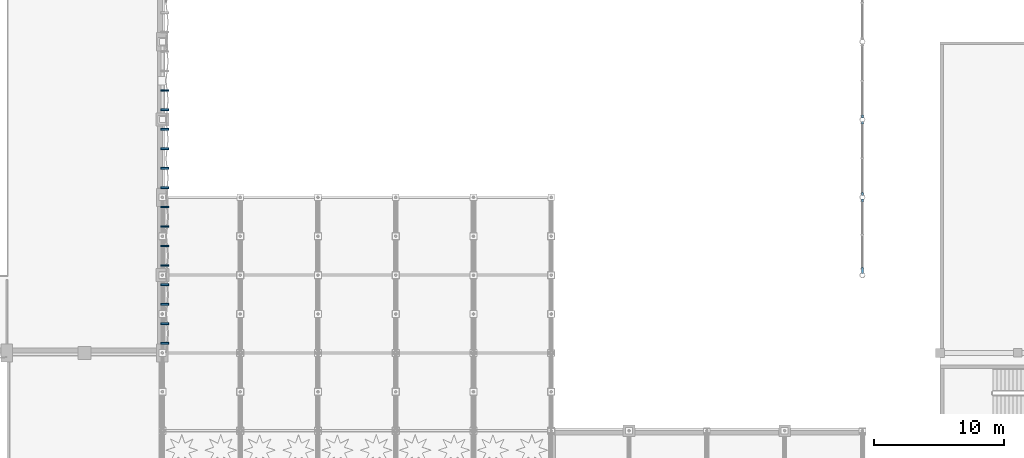
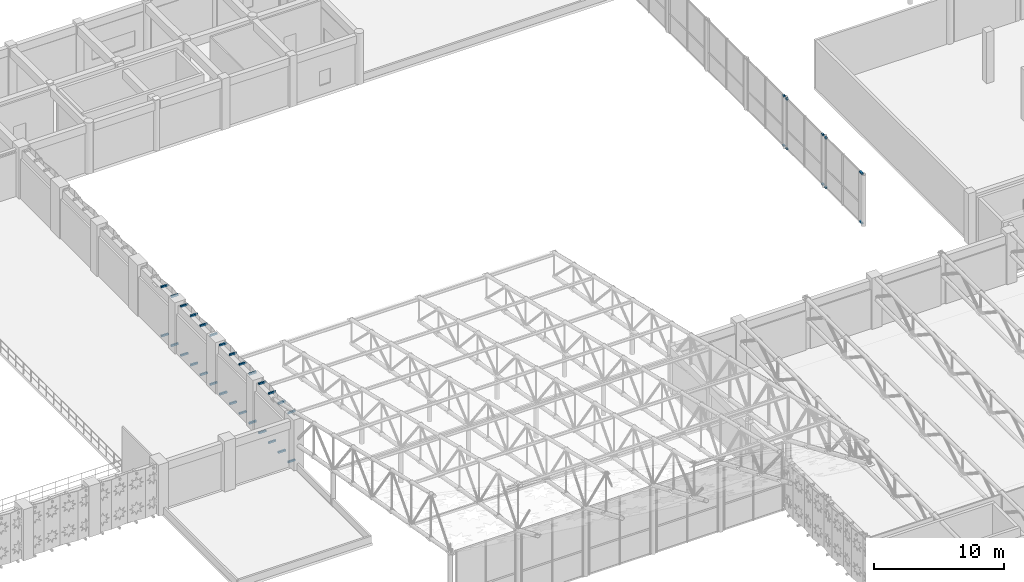
# One storey, part 110 of 123: 38 discrete accessories.
"""IFC4 building model written with IfcOpenShell, lengths in metres."""

from ifc_helpers import new_model, si_unit, direction, frame, origin, origin_2d, place, context, subcontext, project, spatial, rectangle, extrude, material, type_object, element, save


model = new_model("IFC4")

# Units and contexts
model_context = context("Model", 3, precision=1e-05, world=origin(), true_north=direction((0.0, 1.0)))
body_context = subcontext(model_context, "Body", "Model", "MODEL_VIEW")
ifc_project = project(units=[si_unit("LENGTHUNIT", "METRE"), si_unit("AREAUNIT", "SQUARE_METRE"), si_unit("VOLUMEUNIT", "CUBIC_METRE"), si_unit("PLANEANGLEUNIT", "RADIAN"), si_unit("MASSUNIT", "GRAM", prefix="KILO"), si_unit("THERMODYNAMICTEMPERATUREUNIT", "KELVIN"), si_unit("POWERUNIT", "WATT")], contexts=[model_context])

# Site, building, storey
site_placement = place(None, origin())
site = spatial("IfcSite", under=ifc_project, at=site_placement, CompositionType="ELEMENT")
building_placement = place(site_placement, origin())
building = spatial("IfcBuilding", under=site, at=building_placement, Name="Phaisarnlok Congress Hotel", CompositionType="ELEMENT")
storey_placement = place(building_placement, frame((0.0, 0.0, 15.0)))
storey = spatial("IfcBuildingStorey", under=building, at=storey_placement, Name="L03", CompositionType="ELEMENT", Elevation=15.0)

# Discrete accessories
ifc_material = material(Name="Steel S355", Category="steel")
discrete_accessory_type = type_object("IfcDiscreteAccessoryType", Name="ACC-BRK-STL", PredefinedType="BRACKET", material=ifc_material)
for number, where, z_axis, x_axis, name in (
    (1, (120.0, 48.360107421875, 0.0), (0.0, 0.0, 1.0), (1.0, 0.0, 0.0), "Curtain wall steel jamb spider bracket BK-01"),
    (2, (120.0, 48.360107421875, 4.66015625), (0.0, 0.0, 1.0), (1.0, 0.0, 0.0), "Curtain wall steel jamb spider bracket BK-01"),
):
    element("IfcDiscreteAccessory", number, at=place(storey_placement, frame(where, z_axis=z_axis, x_axis=x_axis)), inside=storey, type_object=discrete_accessory_type, Name=name, PredefinedType="BRACKET", context=body_context, shape_type="SweptSolid", body=[
        extrude(rectangle(XDim=0.159912109375, YDim=0.43994140625, at=origin_2d()), origin(), (0.0, 0.0, 1.0), 0.139892578125),
    ])
for number, where, z_axis, x_axis, name in (
    (3, (120.0, 53.75, 0.0), (0.0, 0.0, 1.0), (1.0, 0.0, 0.0), "Curtain wall steel jamb spider bracket BK-01"),
    (4, (120.0, 53.75, 4.66015625), (0.0, 0.0, 1.0), (1.0, 0.0, 0.0), "Curtain wall steel jamb spider bracket BK-01"),
    (5, (120.0, 54.25, 0.0), (0.0, 0.0, 1.0), (1.0, 0.0, 0.0), "Curtain wall steel jamb spider bracket BK-01"),
    (6, (120.0, 54.25, 4.66015625), (0.0, 0.0, 1.0), (1.0, 0.0, 0.0), "Curtain wall steel jamb spider bracket BK-01"),
    (7, (120.0, 59.75, 0.0), (0.0, 0.0, 1.0), (1.0, 0.0, 0.0), "Curtain wall steel jamb spider bracket BK-01"),
    (8, (120.0, 59.75, 4.66015625), (0.0, 0.0, 1.0), (1.0, 0.0, 0.0), "Curtain wall steel jamb spider bracket BK-01"),
    (9, (120.0, 60.25, 0.0), (0.0, 0.0, 1.0), (1.0, 0.0, 0.0), "Curtain wall steel jamb spider bracket BK-01"),
    (10, (120.0, 60.25, 4.66015625), (0.0, 0.0, 1.0), (1.0, 0.0, 0.0), "Curtain wall steel jamb spider bracket BK-01"),
):
    element("IfcDiscreteAccessory", number, at=place(storey_placement, frame(where, z_axis=z_axis, x_axis=x_axis)), inside=storey, type_object=discrete_accessory_type, Name=name, PredefinedType="BRACKET", context=body_context, shape_type="SweptSolid", body=[
        extrude(rectangle(XDim=0.159912109375, YDim=0.219970703125, at=origin_2d()), origin(), (0.0, 0.0, 1.0), 0.139892578125),
    ])
for number, where, z_axis, x_axis, name in (
    (11, (66.183837890625, 42.75, -0.18017578125), (0.0, 0.0, 1.0), (1.0, 0.0, 0.0), "Solar screen steel outrigger bracket BK-01"),
    (12, (66.183837890625, 42.75, 4.419921875), (0.0, 0.0, 1.0), (1.0, 0.0, 0.0), "Solar screen steel outrigger bracket BK-01"),
    (13, (66.183837890625, 44.25, -0.18017578125), (0.0, 0.0, 1.0), (1.0, 0.0, 0.0), "Solar screen steel outrigger bracket BK-01"),
    (14, (66.183837890625, 44.25, 4.419921875), (0.0, 0.0, 1.0), (1.0, 0.0, 0.0), "Solar screen steel outrigger bracket BK-01"),
    (15, (66.183837890625, 45.75, -0.18017578125), (0.0, 0.0, 1.0), (1.0, 0.0, 0.0), "Solar screen steel outrigger bracket BK-01"),
    (16, (66.183837890625, 45.75, 4.419921875), (0.0, 0.0, 1.0), (1.0, 0.0, 0.0), "Solar screen steel outrigger bracket BK-01"),
    (17, (66.183837890625, 47.25, -0.18017578125), (0.0, 0.0, 1.0), (1.0, 0.0, 0.0), "Solar screen steel outrigger bracket BK-01"),
    (18, (66.183837890625, 47.25, 4.419921875), (0.0, 0.0, 1.0), (1.0, 0.0, 0.0), "Solar screen steel outrigger bracket BK-01"),
    (19, (66.183837890625, 48.75, -0.18017578125), (0.0, 0.0, 1.0), (1.0, 0.0, 0.0), "Solar screen steel outrigger bracket BK-01"),
    (20, (66.183837890625, 48.75, 4.419921875), (0.0, 0.0, 1.0), (1.0, 0.0, 0.0), "Solar screen steel outrigger bracket BK-01"),
    (21, (66.183837890625, 50.25, -0.18017578125), (0.0, 0.0, 1.0), (1.0, 0.0, 0.0), "Solar screen steel outrigger bracket BK-01"),
    (22, (66.183837890625, 50.25, 4.419921875), (0.0, 0.0, 1.0), (1.0, 0.0, 0.0), "Solar screen steel outrigger bracket BK-01"),
    (23, (66.183837890625, 51.75, -0.18017578125), (0.0, 0.0, 1.0), (1.0, 0.0, 0.0), "Solar screen steel outrigger bracket BK-01"),
    (24, (66.183837890625, 51.75, 4.419921875), (0.0, 0.0, 1.0), (1.0, 0.0, 0.0), "Solar screen steel outrigger bracket BK-01"),
    (25, (66.183837890625, 53.25, -0.18017578125), (0.0, 0.0, 1.0), (1.0, 0.0, 0.0), "Solar screen steel outrigger bracket BK-01"),
    (26, (66.183837890625, 53.25, 4.419921875), (0.0, 0.0, 1.0), (1.0, 0.0, 0.0), "Solar screen steel outrigger bracket BK-01"),
    (27, (66.183837890625, 54.75, -0.18017578125), (0.0, 0.0, 1.0), (1.0, 0.0, 0.0), "Solar screen steel outrigger bracket BK-01"),
    (28, (66.183837890625, 54.75, 4.419921875), (0.0, 0.0, 1.0), (1.0, 0.0, 0.0), "Solar screen steel outrigger bracket BK-01"),
    (29, (66.183837890625, 56.25, -0.18017578125), (0.0, 0.0, 1.0), (1.0, 0.0, 0.0), "Solar screen steel outrigger bracket BK-01"),
    (30, (66.183837890625, 56.25, 4.419921875), (0.0, 0.0, 1.0), (1.0, 0.0, 0.0), "Solar screen steel outrigger bracket BK-01"),
    (31, (66.183837890625, 57.75, -0.18017578125), (0.0, 0.0, 1.0), (1.0, 0.0, 0.0), "Solar screen steel outrigger bracket BK-01"),
    (32, (66.183837890625, 57.75, 4.419921875), (0.0, 0.0, 1.0), (1.0, 0.0, 0.0), "Solar screen steel outrigger bracket BK-01"),
    (33, (66.183837890625, 59.25, -0.18017578125), (0.0, 0.0, 1.0), (1.0, 0.0, 0.0), "Solar screen steel outrigger bracket BK-01"),
    (34, (66.183837890625, 59.25, 4.419921875), (0.0, 0.0, 1.0), (1.0, 0.0, 0.0), "Solar screen steel outrigger bracket BK-01"),
    (35, (66.183837890625, 60.75, -0.18017578125), (0.0, 0.0, 1.0), (1.0, 0.0, 0.0), "Solar screen steel outrigger bracket BK-01"),
    (36, (66.183837890625, 60.75, 4.419921875), (0.0, 0.0, 1.0), (1.0, 0.0, 0.0), "Solar screen steel outrigger bracket BK-01"),
    (37, (66.183837890625, 62.25, -0.18017578125), (0.0, 0.0, 1.0), (1.0, 0.0, 0.0), "Solar screen steel outrigger bracket BK-01"),
    (38, (66.183837890625, 62.25, 4.419921875), (0.0, 0.0, 1.0), (1.0, 0.0, 0.0), "Solar screen steel outrigger bracket BK-01"),
):
    element("IfcDiscreteAccessory", number, at=place(storey_placement, frame(where, z_axis=z_axis, x_axis=x_axis)), inside=storey, type_object=discrete_accessory_type, Name=name, PredefinedType="BRACKET", context=body_context, shape_type="SweptSolid", body=[
        extrude(rectangle(XDim=0.647705078125, YDim=0.139892578125, at=origin_2d()), origin(), (0.0, 0.0, 1.0), 0.159912109375),
    ])

save(model, "model.ifc")
